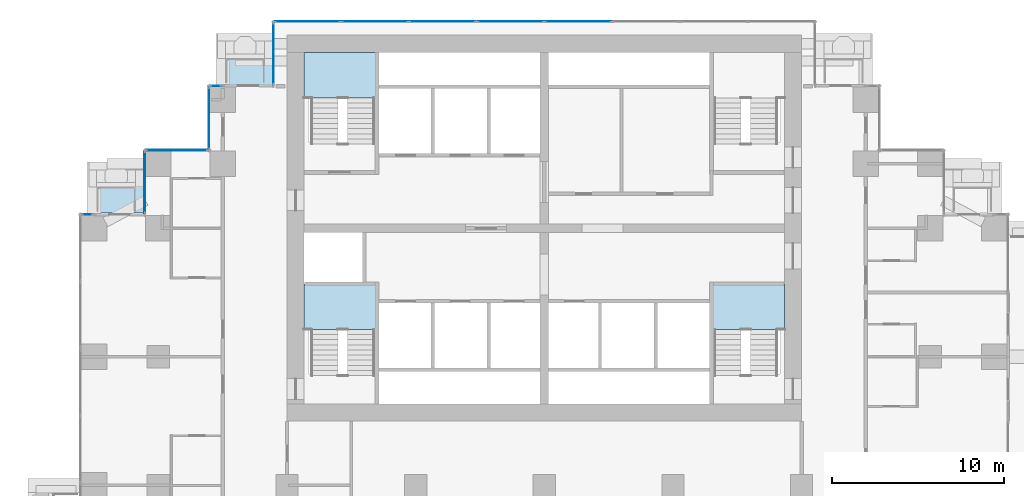
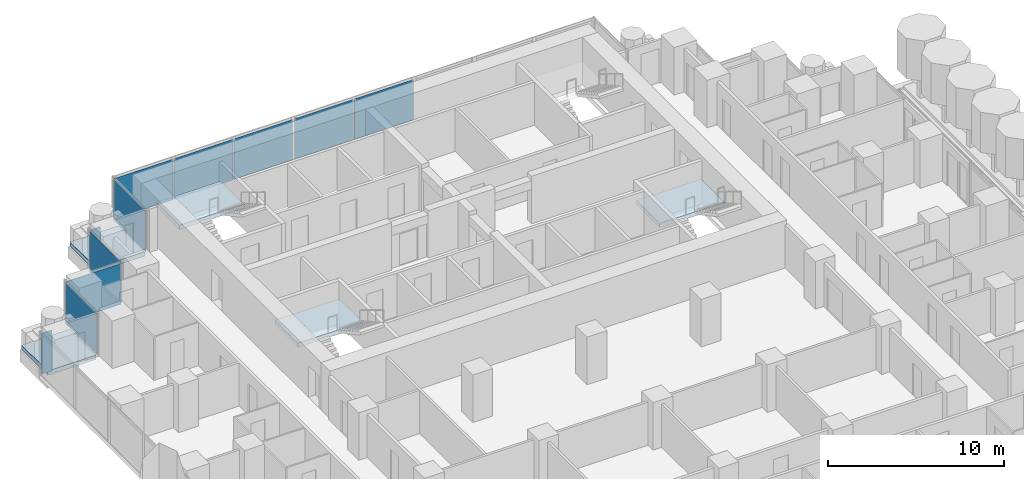
# One storey, part 9 of 19: 11 plates, 5 slabs, 11 elements without a shape of their own.
"""IFC4 building model written with IfcOpenShell, lengths in metres."""

from ifc_helpers import new_model, si_unit, direction, frame, origin, origin_2d, place, context, subcontext, project, spatial, polyline, rectangle, outline, extrude, material, layer, layer_set, type_object, element, aggregate, save


model = new_model("IFC4")

# Units and contexts
model_context = context("Model", 3, precision=1e-05, world=origin(), true_north=direction((0.0, 1.0)))
body_context = subcontext(model_context, "Body", "Model", "MODEL_VIEW")
ifc_project = project(units=[si_unit("LENGTHUNIT", "METRE"), si_unit("AREAUNIT", "SQUARE_METRE"), si_unit("VOLUMEUNIT", "CUBIC_METRE"), si_unit("PLANEANGLEUNIT", "RADIAN"), si_unit("MASSUNIT", "GRAM", prefix="KILO")], contexts=[model_context])

# Site, building, storey
site_placement = place(None, origin())
site = spatial("IfcSite", under=ifc_project, at=site_placement, CompositionType="ELEMENT")
building_placement = place(site_placement, origin())
building = spatial("IfcBuilding", under=site, at=building_placement, Name="Pilkhan Gate Tower", CompositionType="ELEMENT")
storey_placement = place(building_placement, frame((0.0, 0.0, 79.10009765625)))
storey = spatial("IfcBuildingStorey", under=building, at=storey_placement, Name="L18", CompositionType="ELEMENT", Elevation=79.10009765625)

# Slabs
ifc_material_1 = material(Name="Concrete C60/75", Category="concrete")
ifc_layer_1 = layer(ifc_material_1, 0.300048828125)
ifc_layer_set_1 = layer_set([ifc_layer_1], Name="Balcony tray slab TR300")
slab_type_1 = type_object("IfcSlabType", Name="Balcony tray slab TR300", PredefinedType="FLOOR", material=ifc_layer_set_1)
slab_1_placement = place(storey_placement, frame((0.0, 0.0, -0.300048828125)))
element("IfcSlab", 1, at=slab_1_placement, inside=storey, type_object=slab_type_1, Name="Balcony tray L18 N", PredefinedType="FLOOR", context=body_context, shape_type="SweptSolid", body=[
    extrude(outline(polyline([(59.14990234375, 90.85009765625), (59.14990234375, 93.85009765625), (55.949951171875, 93.85009765625), (55.949951171875, 90.85009765625), (59.14990234375, 90.85009765625)])), origin(), (0.0, 0.0, 1.0), 0.300048828125),
])
slab_2_placement = place(storey_placement, frame((0.0, 0.0, -0.300048828125)))
element("IfcSlab", 2, at=slab_2_placement, inside=storey, type_object=slab_type_1, Name="Balcony tray L18 N", PredefinedType="FLOOR", context=body_context, shape_type="SweptSolid", body=[
    extrude(outline(polyline([(51.6298828125, 83.3701171875), (51.6298828125, 86.35009765625), (48.449951171875, 86.35009765625), (48.449951171875, 83.3701171875), (51.6298828125, 83.3701171875)])), origin(), (0.0, 0.0, 1.0), 0.300048828125),
])

# Curtain wall, plates
ifc_material_2 = material(Name="Pale anodised aluminium, clear low-iron double glazing", Category="aluminium")
curtain_wall_type = type_object("IfcCurtainWallType", Name="Hotel unitised curtain wall CW-H", PredefinedType="USERDEFINED", material=ifc_material_2)
curtain_wall_1_placement = place(storey_placement, origin())
curtain_wall_1 = element("IfcCurtainWall", 3, at=curtain_wall_1_placement, inside=storey, type_object=curtain_wall_type, Name="Hotel unitised curtain wall CW-H L18 N", ObjectType="UNITISED CURTAIN WALL", PredefinedType="USERDEFINED")
ifc_material_3 = material(Name="Clear low-iron double glazing", Category="glass")
ifc_layer_2 = layer(ifc_material_3, 0.035888671875)
ifc_layer_set_2 = layer_set([ifc_layer_2], Name="Glass panel CW-H 36")
plate_type = type_object("IfcPlateType", Name="Glass panel CW-H 36", PredefinedType="CURTAIN_PANEL", material=ifc_layer_set_2)
plate_1_placement = place(storey_placement, frame((61.195556640625, 94.544921875, 0.0), z_axis=(0.0, 0.0, 1.0), x_axis=(1.0, 0.0, 0.0)))
plate_1 = element("IfcPlate", 4, at=plate_1_placement, type_object=plate_type, Name="CW-H panel 1", PredefinedType="CURTAIN_PANEL", context=body_context, shape_type="SweptSolid", body=[
    extrude(rectangle(XDim=3.851318359375, YDim=0.035888671875, at=origin_2d()), origin(), (0.0, 0.0, 1.0), 2.820068359375),
])
plate_2_placement = place(storey_placement, frame((65.128173828125, 94.544921875, 0.0), z_axis=(0.0, 0.0, 1.0), x_axis=(1.0, 0.0, 0.0)))
plate_2 = element("IfcPlate", 5, at=plate_2_placement, type_object=plate_type, Name="CW-H panel 2", PredefinedType="CURTAIN_PANEL", context=body_context, shape_type="SweptSolid", body=[
    extrude(rectangle(XDim=3.8837890625, YDim=0.035888671875, at=origin_2d()), origin(), (0.0, 0.0, 1.0), 2.820068359375),
])
plate_3_placement = place(storey_placement, frame((69.060546875, 94.544921875, 0.0), z_axis=(0.0, 0.0, 1.0), x_axis=(1.0, 0.0, 0.0)))
plate_3 = element("IfcPlate", 6, at=plate_3_placement, type_object=plate_type, Name="CW-H panel 3", PredefinedType="CURTAIN_PANEL", context=body_context, shape_type="SweptSolid", body=[
    extrude(rectangle(XDim=3.851318359375, YDim=0.035888671875, at=origin_2d()), origin(), (0.0, 0.0, 1.0), 2.820068359375),
])
aggregate(curtain_wall_1, [plate_1, plate_2, plate_3])

curtain_wall_2_placement = place(storey_placement, origin())
curtain_wall_2 = element("IfcCurtainWall", 7, at=curtain_wall_2_placement, inside=storey, type_object=curtain_wall_type, Name="Hotel unitised curtain wall CW-H L18 N", ObjectType="UNITISED CURTAIN WALL", PredefinedType="USERDEFINED")
plate_4_placement = place(storey_placement, frame((73.0419921875, 94.544921875, 0.0), z_axis=(0.0, 0.0, 1.0), x_axis=(1.0, 0.0, 0.0)))
plate_4 = element("IfcPlate", 8, at=plate_4_placement, type_object=plate_type, Name="CW-H panel 1", PredefinedType="CURTAIN_PANEL", context=body_context, shape_type="SweptSolid", body=[
    extrude(rectangle(XDim=3.851318359375, YDim=0.035888671875, at=origin_2d()), origin(), (0.0, 0.0, 1.0), 2.820068359375),
])
plate_5_placement = place(storey_placement, frame((76.974365234375, 94.544921875, 0.0), z_axis=(0.0, 0.0, 1.0), x_axis=(1.0, 0.0, 0.0)))
plate_5 = element("IfcPlate", 9, at=plate_5_placement, type_object=plate_type, Name="CW-H panel 2", PredefinedType="CURTAIN_PANEL", context=body_context, shape_type="SweptSolid", body=[
    extrude(rectangle(XDim=3.8837890625, YDim=0.035888671875, at=origin_2d()), origin(), (0.0, 0.0, 1.0), 2.820068359375),
])
aggregate(curtain_wall_2, [plate_4, plate_5])

# Curtain wall, plate
curtain_wall_3_placement = place(storey_placement, origin())
curtain_wall_3 = element("IfcCurtainWall", 10, at=curtain_wall_3_placement, inside=storey, type_object=curtain_wall_type, Name="Hotel unitised curtain wall CW-H L18 W", ObjectType="UNITISED CURTAIN WALL", PredefinedType="USERDEFINED")
plate_6_placement = place(storey_placement, frame((59.205078125, 92.669921875, 0.0), z_axis=(0.0, 0.0, 1.0), x_axis=(0.0, 1.0, 0.0)))
plate_6 = element("IfcPlate", 11, at=plate_6_placement, type_object=plate_type, Name="CW-H panel 1", PredefinedType="CURTAIN_PANEL", context=body_context, shape_type="SweptSolid", body=[
    extrude(rectangle(XDim=3.6201171875, YDim=0.035888671875, at=origin_2d()), origin(), (0.0, 0.0, 1.0), 2.820068359375),
])
aggregate(curtain_wall_3, [plate_6])

curtain_wall_4_placement = place(storey_placement, origin())
curtain_wall_4 = element("IfcCurtainWall", 12, at=curtain_wall_4_placement, inside=storey, type_object=curtain_wall_type, Name="Hotel unitised curtain wall CW-H L18 N", ObjectType="UNITISED CURTAIN WALL", PredefinedType="USERDEFINED")
plate_7_placement = place(storey_placement, frame((55.8525390625, 90.794921875, 0.0), z_axis=(0.0, 0.0, 1.0), x_axis=(1.0, 0.0, 0.0)))
plate_7 = element("IfcPlate", 13, at=plate_7_placement, type_object=plate_type, Name="CW-H panel 1", PredefinedType="CURTAIN_PANEL", context=body_context, shape_type="SweptSolid", body=[
    extrude(rectangle(XDim=0.6650390625, YDim=0.035888671875, at=origin_2d()), origin(), (0.0, 0.0, 1.0), 2.820068359375),
])
aggregate(curtain_wall_4, [plate_7])

curtain_wall_5_placement = place(storey_placement, origin())
curtain_wall_5 = element("IfcCurtainWall", 14, at=curtain_wall_5_placement, inside=storey, type_object=curtain_wall_type, Name="Hotel unitised curtain wall CW-H L18 W", ObjectType="UNITISED CURTAIN WALL", PredefinedType="USERDEFINED")
plate_8_placement = place(storey_placement, frame((55.455078125, 88.919921875, 0.0), z_axis=(0.0, 0.0, 1.0), x_axis=(0.0, 1.0, 0.0)))
plate_8 = element("IfcPlate", 15, at=plate_8_placement, type_object=plate_type, Name="CW-H panel 1", PredefinedType="CURTAIN_PANEL", context=body_context, shape_type="SweptSolid", body=[
    extrude(rectangle(XDim=3.6201171875, YDim=0.035888671875, at=origin_2d()), origin(), (0.0, 0.0, 1.0), 2.820068359375),
])
aggregate(curtain_wall_5, [plate_8])

curtain_wall_6_placement = place(storey_placement, origin())
curtain_wall_6 = element("IfcCurtainWall", 16, at=curtain_wall_6_placement, inside=storey, type_object=curtain_wall_type, Name="Hotel unitised curtain wall CW-H L18 N", ObjectType="UNITISED CURTAIN WALL", PredefinedType="USERDEFINED")
plate_9_placement = place(storey_placement, frame((53.580078125, 87.044921875, 0.0), z_axis=(0.0, 0.0, 1.0), x_axis=(1.0, 0.0, 0.0)))
plate_9 = element("IfcPlate", 17, at=plate_9_placement, type_object=plate_type, Name="CW-H panel 1", PredefinedType="CURTAIN_PANEL", context=body_context, shape_type="SweptSolid", body=[
    extrude(rectangle(XDim=3.6201171875, YDim=0.035888671875, at=origin_2d()), origin(), (0.0, 0.0, 1.0), 2.820068359375),
])
aggregate(curtain_wall_6, [plate_9])

curtain_wall_7_placement = place(storey_placement, origin())
curtain_wall_7 = element("IfcCurtainWall", 18, at=curtain_wall_7_placement, inside=storey, type_object=curtain_wall_type, Name="Hotel unitised curtain wall CW-H L18 W", ObjectType="UNITISED CURTAIN WALL", PredefinedType="USERDEFINED")
plate_10_placement = place(storey_placement, frame((51.705078125, 85.169921875, 0.0), z_axis=(0.0, 0.0, 1.0), x_axis=(0.0, 1.0, 0.0)))
plate_10 = element("IfcPlate", 19, at=plate_10_placement, type_object=plate_type, Name="CW-H panel 1", PredefinedType="CURTAIN_PANEL", context=body_context, shape_type="SweptSolid", body=[
    extrude(rectangle(XDim=3.6201171875, YDim=0.035888671875, at=origin_2d()), origin(), (0.0, 0.0, 1.0), 2.820068359375),
])
aggregate(curtain_wall_7, [plate_10])

curtain_wall_8_placement = place(storey_placement, origin())
curtain_wall_8 = element("IfcCurtainWall", 20, at=curtain_wall_8_placement, inside=storey, type_object=curtain_wall_type, Name="Hotel unitised curtain wall CW-H L18 N", ObjectType="UNITISED CURTAIN WALL", PredefinedType="USERDEFINED")
plate_11_placement = place(storey_placement, frame((48.3525390625, 83.294921875, 0.0), z_axis=(0.0, 0.0, 1.0), x_axis=(1.0, 0.0, 0.0)))
plate_11 = element("IfcPlate", 21, at=plate_11_placement, type_object=plate_type, Name="CW-H panel 1", PredefinedType="CURTAIN_PANEL", context=body_context, shape_type="SweptSolid", body=[
    extrude(rectangle(XDim=0.6650390625, YDim=0.035888671875, at=origin_2d()), origin(), (0.0, 0.0, 1.0), 2.820068359375),
])
aggregate(curtain_wall_8, [plate_11])

# Stair, slab
ifc_material_4 = material(Name="Concrete C40/50 precast", Category="concrete")
stair_type_1 = type_object("IfcStairType", Name="Stair ST1 165x300", PredefinedType="HALF_TURN_STAIR", material=ifc_material_4)
stair_1_placement = place(storey_placement, origin())
stair_1 = element("IfcStair", 22, at=stair_1_placement, inside=storey, type_object=stair_type_1, Name="Stair ST1 L18", PredefinedType="HALF_TURN_STAIR")
ifc_material_5 = material(Name="Concrete C40/50", Category="concrete")
ifc_layer_3 = layer(ifc_material_5, 0.199951171875)
ifc_layer_set_3 = layer_set([ifc_layer_3], Name="Stair landing SL200")
slab_type_2 = type_object("IfcSlabType", Name="Stair landing SL200", PredefinedType="LANDING", material=ifc_layer_set_3)
slab_3_placement = place(storey_placement, frame((0.0, 0.0, 1.349853515625)))
slab_3 = element("IfcSlab", 23, at=slab_3_placement, type_object=slab_type_2, Name="ST1 landing 1", PredefinedType="LANDING", context=body_context, shape_type="SweptSolid", body=[
    extrude(outline(polyline([(89.0, 76.60009765625), (89.0, 79.25), (84.75, 79.25), (84.75, 76.60009765625), (89.0, 76.60009765625)])), origin(), (0.0, 0.0, 1.0), 0.300048828125),
])
aggregate(stair_1, [slab_3])

stair_type_2 = type_object("IfcStairType", Name="Stair ST2 165x300", PredefinedType="HALF_TURN_STAIR", material=ifc_material_4)
stair_2_placement = place(storey_placement, origin())
stair_2 = element("IfcStair", 24, at=stair_2_placement, inside=storey, type_object=stair_type_2, Name="Stair ST2 L18", PredefinedType="HALF_TURN_STAIR")
slab_4_placement = place(storey_placement, frame((0.0, 0.0, 1.349853515625)))
slab_4 = element("IfcSlab", 25, at=slab_4_placement, type_object=slab_type_2, Name="ST2 landing 1", PredefinedType="LANDING", context=body_context, shape_type="SweptSolid", body=[
    extrude(outline(polyline([(65.25, 76.60009765625), (65.25, 79.25), (61.0, 79.25), (61.0, 76.60009765625), (65.25, 76.60009765625)])), origin(), (0.0, 0.0, 1.0), 0.300048828125),
])
aggregate(stair_2, [slab_4])

stair_type_3 = type_object("IfcStairType", Name="Stair ST3 165x300", PredefinedType="HALF_TURN_STAIR", material=ifc_material_4)
stair_3_placement = place(storey_placement, origin())
stair_3 = element("IfcStair", 26, at=stair_3_placement, inside=storey, type_object=stair_type_3, Name="Stair ST3 L18", PredefinedType="HALF_TURN_STAIR")
slab_5_placement = place(storey_placement, frame((0.0, 0.0, 1.349853515625)))
slab_5 = element("IfcSlab", 27, at=slab_5_placement, type_object=slab_type_2, Name="ST3 landing 1", PredefinedType="LANDING", context=body_context, shape_type="SweptSolid", body=[
    extrude(outline(polyline([(65.25, 90.10009765625), (65.25, 92.75), (61.0, 92.75), (61.0, 90.10009765625), (65.25, 90.10009765625)])), origin(), (0.0, 0.0, 1.0), 0.300048828125),
])
aggregate(stair_3, [slab_5])

save(model, "model.ifc")
